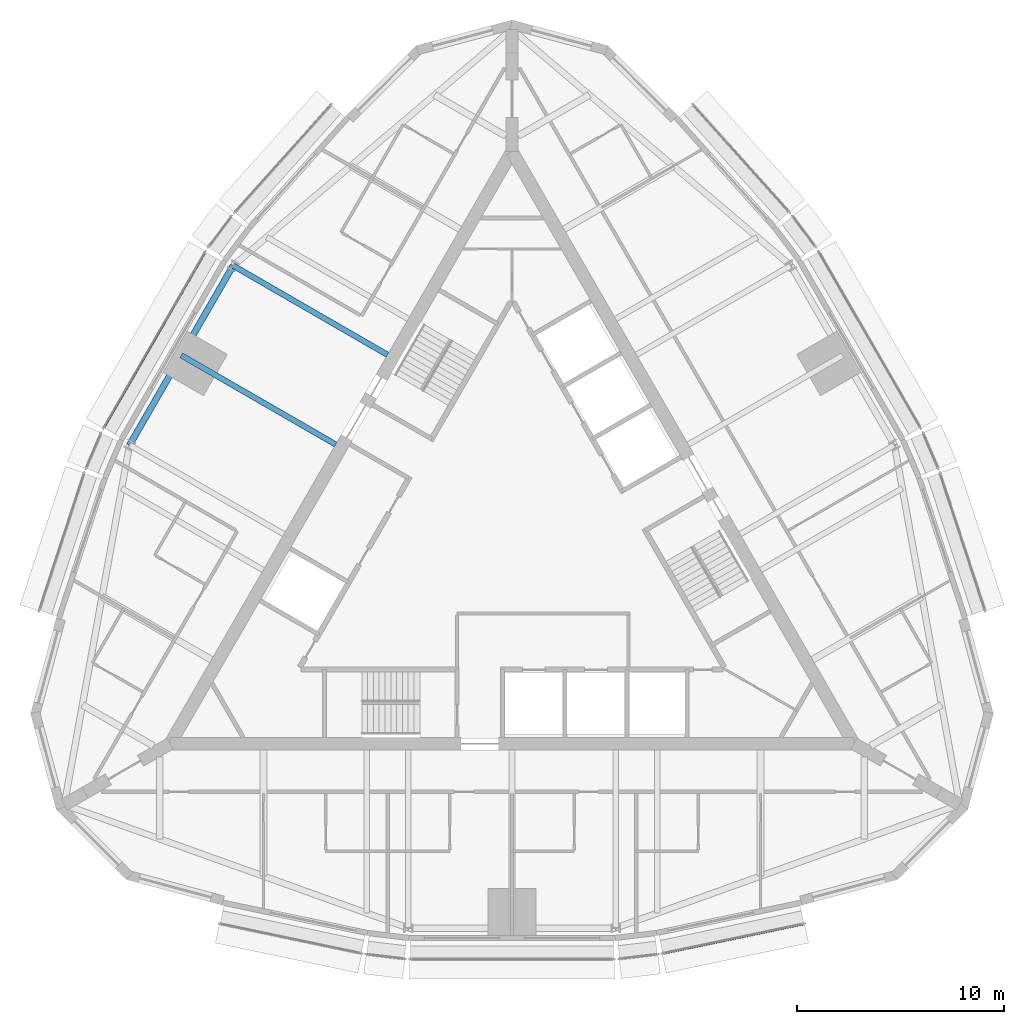
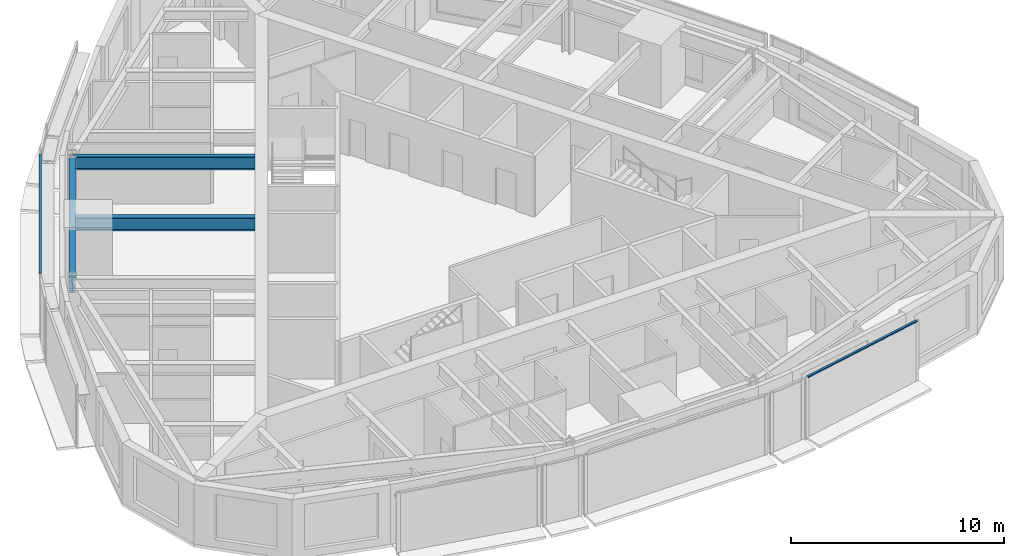
# One storey, part 3 of 12: 3 beams, 2 members, 2 elements without a shape of their own.
"""IFC4 building model written with IfcOpenShell, lengths in metres."""

from ifc_helpers import new_model, si_unit, direction, frame, origin, origin_2d, place, context, subcontext, project, spatial, rectangle, i_section, extrude, material, material_profile, profile_set, type_object, element, aggregate, save


model = new_model("IFC4")

# Units and contexts
model_context = context("Model", 3, precision=1e-05, world=origin(), true_north=direction((0.0, 1.0)))
body_context = subcontext(model_context, "Body", "Model", "MODEL_VIEW")
ifc_project = project(units=[si_unit("LENGTHUNIT", "METRE"), si_unit("AREAUNIT", "SQUARE_METRE"), si_unit("VOLUMEUNIT", "CUBIC_METRE"), si_unit("PLANEANGLEUNIT", "RADIAN"), si_unit("MASSUNIT", "GRAM", prefix="KILO")], contexts=[model_context])

# Site, building, storey
site_placement = place(None, origin())
site = spatial("IfcSite", under=ifc_project, at=site_placement, CompositionType="ELEMENT")
building_placement = place(site_placement, origin())
building = spatial("IfcBuilding", under=site, at=building_placement, Name="Trikona Tower", CompositionType="ELEMENT")
storey_placement = place(building_placement, frame((0.0, 0.0, 268.10009765625)))
storey = spatial("IfcBuildingStorey", under=building, at=storey_placement, Name="L71", CompositionType="ELEMENT", Elevation=268.10009765625)

# Beams
ifc_material_1 = material(Name="Steel ASTM A992 Grade 50", Category="steel")
ifc_material_profile_1 = material_profile(ifc_material_1, i_section(OverallWidth=0.2666015625, OverallDepth=0.7568359375, WebThickness=0.013916015625, FlangeThickness=0.019287109375, at=origin_2d()), Name="W30X108")
ifc_profile_set_1 = profile_set([ifc_material_profile_1], Name="Steel ASTM A992 Grade 50")
beam_type_1 = type_object("IfcBeamType", Name="Steel beam W30x108 (radial upper)", PredefinedType="BEAM", material=ifc_profile_set_1)
beam_1_placement = place(storey_placement, frame((-6.009765625, 9.243408203125, 3.056396484375), z_axis=(-0.866029182723, 0.49999345463, 0.0), x_axis=(-0.49999345463, -0.866029182723, 0.0)))
element("IfcBeam", 1, at=beam_1_placement, inside=storey, type_object=beam_type_1, Name="Floor beam L72 F3 u-5", PredefinedType="BEAM", context=body_context, shape_type="SweptSolid", body=[
    extrude(i_section(OverallWidth=0.2666015625, OverallDepth=0.7568359375, WebThickness=0.013916015625, FlangeThickness=0.019287109375, at=origin_2d()), origin(), (0.0, 0.0, 1.0), 8.60400390625),
])
beam_2_placement = place(storey_placement, frame((-8.509765625, 4.9130859375, 3.056396484375), z_axis=(-0.866016896067, 0.50001473551, 0.0), x_axis=(-0.50001473551, -0.866016896067, 0.0)))
element("IfcBeam", 2, at=beam_2_placement, inside=storey, type_object=beam_type_1, Name="Floor beam L72 F3 u0", PredefinedType="BEAM", context=body_context, shape_type="SweptSolid", body=[
    extrude(i_section(OverallWidth=0.2666015625, OverallDepth=0.7568359375, WebThickness=0.013916015625, FlangeThickness=0.019287109375, at=origin_2d()), origin(), (0.0, 0.0, 1.0), 8.604248046875),
])
ifc_material_2 = material(Name="Steel ASTM A992 Grade 50", Category="steel")
ifc_material_profile_2 = material_profile(ifc_material_2, i_section(OverallWidth=0.3046875, OverallDepth=0.911865234375, WebThickness=0.015869140625, FlangeThickness=0.02392578125, at=origin_2d()), Name="W36X150")
ifc_profile_set_2 = profile_set([ifc_material_profile_2], Name="Steel ASTM A992 Grade 50")
beam_type_2 = type_object("IfcBeamType", Name="Steel beam W36x150 (spandrel upper)", PredefinedType="SPANDREL", material=ifc_profile_set_2)
beam_3_placement = place(storey_placement, frame((-13.461181640625, 13.54541015625, 2.97900390625), z_axis=(-0.499993662806, -0.866029062534, 0.0), x_axis=(0.866029062534, -0.499993662806, 0.0)))
element("IfcBeam", 3, at=beam_3_placement, inside=storey, type_object=beam_type_2, Name="Spandrel beam L72 F3-2", PredefinedType="SPANDREL", context=body_context, shape_type="SweptSolid", body=[
    extrude(i_section(OverallWidth=0.3046875, OverallDepth=0.911865234375, WebThickness=0.015869140625, FlangeThickness=0.02392578125, at=origin_2d()), origin(), (0.0, 0.0, 1.0), 10.000244140625),
])

# Curtain wall, member
ifc_material_3 = material(Name="Aluminium curtain wall system", Category="aluminium")
curtain_wall_type = type_object("IfcCurtainWallType", Name="Curtain wall DS3", PredefinedType="NOTDEFINED", material=ifc_material_3)
curtain_wall_1_placement = place(storey_placement, origin())
curtain_wall_1 = element("IfcCurtainWall", 4, at=curtain_wall_1_placement, inside=storey, type_object=curtain_wall_type, Name="Curtain wall DS3 L71", PredefinedType="NOTDEFINED")
ifc_material_4 = material(Name="Aluminium transom, pale anodised", Category="aluminium")
ifc_material_profile_3 = material_profile(ifc_material_4, rectangle(XDim=0.1201171875, YDim=0.070068359375, at=origin_2d()), Name="TRN-DS3")
ifc_profile_set_3 = profile_set([ifc_material_profile_3], Name="Aluminium transom, pale anodised")
member_type = type_object("IfcMemberType", Name="Transom DS3 70x120", PredefinedType="USERDEFINED", material=ifc_profile_set_3)
member_1_placement = place(storey_placement, frame((7.312255859375, -19.64453125, 3.56494140625), z_axis=(0.978654137783, 0.205514181021, 0.0), x_axis=(-0.205514181021, 0.978654137783, 0.0)))
member_1 = element("IfcMember", 5, at=member_1_placement, type_object=member_type, Name="CW-DS3 transom 1.1", ObjectType="TRANSOM", PredefinedType="USERDEFINED", context=body_context, shape_type="SweptSolid", body=[
    extrude(rectangle(XDim=0.1201171875, YDim=0.070068359375, at=origin_2d()), origin(), (0.0, 0.0, 1.0), 6.892578125),
])
aggregate(curtain_wall_1, [member_1])

curtain_wall_2_placement = place(storey_placement, origin())
curtain_wall_2 = element("IfcCurtainWall", 6, at=curtain_wall_2_placement, inside=storey, type_object=curtain_wall_type, Name="Curtain wall DS3 L71", PredefinedType="NOTDEFINED")
member_2_placement = place(storey_placement, frame((-14.8251953125, 14.182861328125, 3.56494140625), z_axis=(-0.500010305712, -0.866019453697, 0.0), x_axis=(0.866019453697, -0.500010305712, 0.0)))
member_2 = element("IfcMember", 7, at=member_2_placement, type_object=member_type, Name="CW-DS3 transom 1.1", ObjectType="TRANSOM", PredefinedType="USERDEFINED", context=body_context, shape_type="SweptSolid", body=[
    extrude(rectangle(XDim=0.1201171875, YDim=0.070068359375, at=origin_2d()), origin(), (0.0, 0.0, 1.0), 9.739990234375),
])
aggregate(curtain_wall_2, [member_2])

save(model, "model.ifc")
